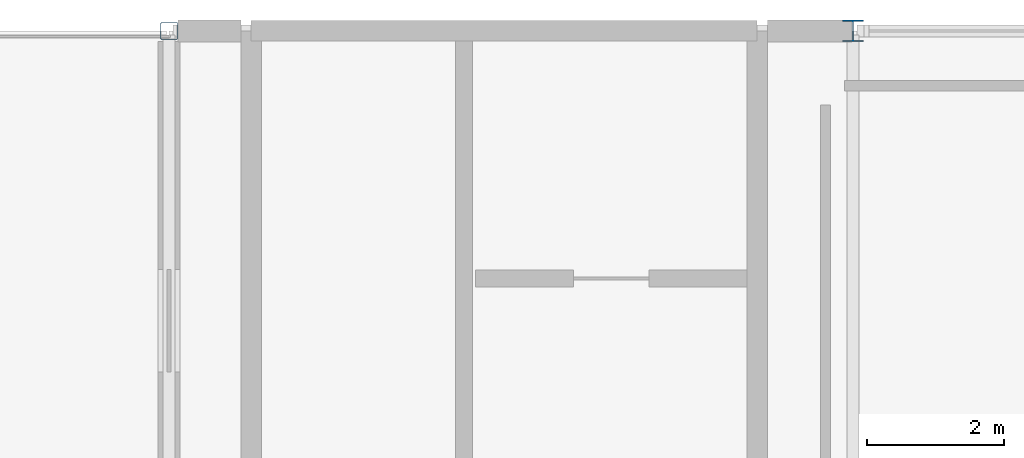
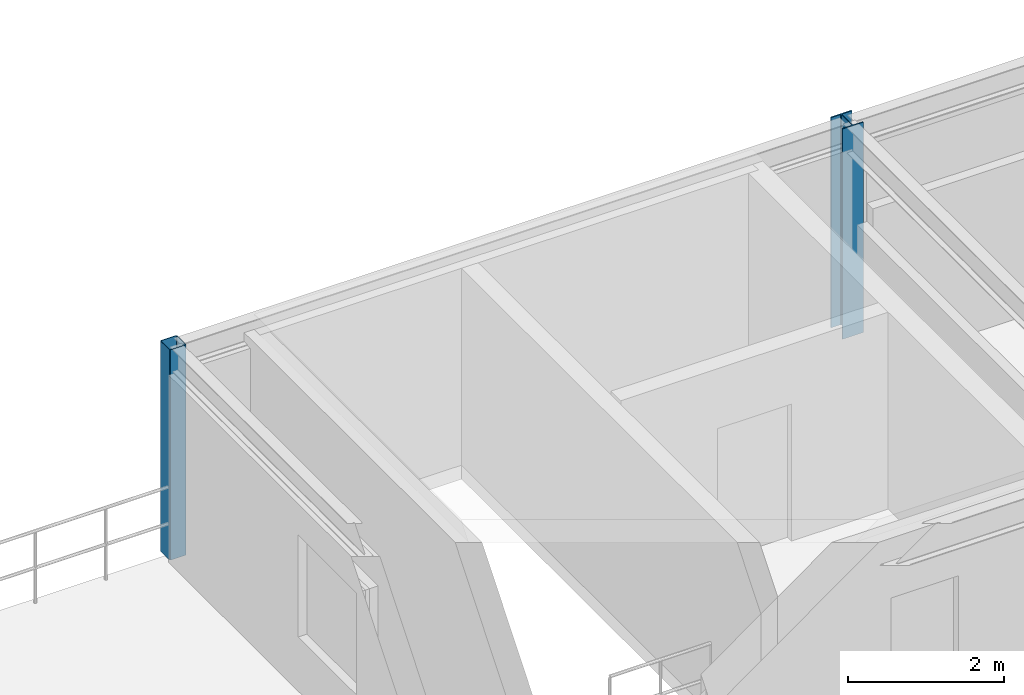
# One storey, part 2 of 12: 2 columns.
"""IFC4 building model written with IfcOpenShell, lengths in metres."""

from ifc_helpers import new_model, si_unit, derived_unit, direction, frame, origin, origin_2d_with_axis, place, context, subcontext, project, spatial, hollow_rectangle, i_section, extrude, material, material_profile, profile_set, type_object, element, save


model = new_model("IFC4")

# Units and contexts
model_context = context("Model", 3, precision=1e-05, world=origin(), true_north=direction((0.0, 1.0)))
body_context = subcontext(model_context, "Body", "Model", "MODEL_VIEW")
ifc_project = project(units=[si_unit("LENGTHUNIT", "METRE"), si_unit("AREAUNIT", "SQUARE_METRE"), si_unit("VOLUMEUNIT", "CUBIC_METRE"), si_unit("PLANEANGLEUNIT", "RADIAN"), si_unit("MASSUNIT", "GRAM", prefix="KILO"), derived_unit("THERMALTRANSMITTANCEUNIT", [(si_unit("POWERUNIT", "WATT"), 1), (si_unit("LENGTHUNIT", "METRE"), -2), (si_unit("THERMODYNAMICTEMPERATUREUNIT", "KELVIN"), -1)])], contexts=[model_context])

# Site, building, storey
site_placement = place(None, origin())
site = spatial("IfcSite", under=ifc_project, at=site_placement, CompositionType="ELEMENT")
building_placement = place(site_placement, origin())
building = spatial("IfcBuilding", under=site, at=building_placement, Name="Cinnabar Yard Market Hall", CompositionType="ELEMENT")
storey_placement = place(building_placement, frame((0.0, 0.0, 15.300048828125)))
storey = spatial("IfcBuildingStorey", under=building, at=storey_placement, Name="L04", CompositionType="ELEMENT", Elevation=15.300048828125)

# Columns
ifc_material_1 = material(Name="Steel Grade 300 (300 MPa)", Category="steel")
ifc_material_profile_1 = material_profile(ifc_material_1, i_section(OverallWidth=0.307373046875, OverallDepth=0.314697265625, WebThickness=0.011962890625, FlangeThickness=0.018798828125, FilletRadius=0.0166015625, at=origin_2d_with_axis()), Name="310UC118")
ifc_profile_set_1 = profile_set([ifc_material_profile_1], Name="Steel Grade 300 (300 MPa)")
column_type_1 = type_object("IfcColumnType", Name="COL-C08E", PredefinedType="COLUMN", material=ifc_profile_set_1)
column_1_placement = place(storey_placement, frame((106.0, 138.0, 0.0), z_axis=(0.0, 0.0, 1.0), x_axis=(1.0, 0.0, 0.0)))
element("IfcColumn", 1, at=column_1_placement, inside=storey, type_object=column_type_1, Name="Belvedere Column V3-05-05 L04", PredefinedType="COLUMN", context=body_context, shape_type="SweptSolid", body=[
    extrude(i_section(OverallWidth=0.307373046875, OverallDepth=0.314697265625, WebThickness=0.011962890625, FlangeThickness=0.018798828125, FilletRadius=0.0166015625, at=origin_2d_with_axis()), origin(), (0.0, 0.0, 1.0), 3.300048828125),
])
ifc_material_2 = material(Name="Cold-formed steel C350L0", Category="steel")
ifc_material_profile_2 = material_profile(ifc_material_2, hollow_rectangle(XDim=0.25, YDim=0.25, WallThickness=0.009033203125, InnerFilletRadius=0.009033203125, OuterFilletRadius=0.01806640625, at=origin_2d_with_axis()), Name="250x250x9.0SHS")
ifc_profile_set_2 = profile_set([ifc_material_profile_2], Name="Cold-formed steel C350L0")
column_type_2 = type_object("IfcColumnType", Name="COL-C20E", PredefinedType="COLUMN", material=ifc_profile_set_2)
column_2_placement = place(storey_placement, frame((96.0, 138.0, 0.0), z_axis=(0.0, 0.0, 1.0), x_axis=(1.0, 0.0, 0.0)))
element("IfcColumn", 2, at=column_2_placement, inside=storey, type_object=column_type_2, Name="Belvedere Column V3-04-05 L04", PredefinedType="COLUMN", context=body_context, shape_type="SweptSolid", body=[
    extrude(hollow_rectangle(XDim=0.25, YDim=0.25, WallThickness=0.009033203125, InnerFilletRadius=0.009033203125, OuterFilletRadius=0.01806640625, at=origin_2d_with_axis()), origin(), (0.0, 0.0, 1.0), 3.300048828125),
])

save(model, "model.ifc")
